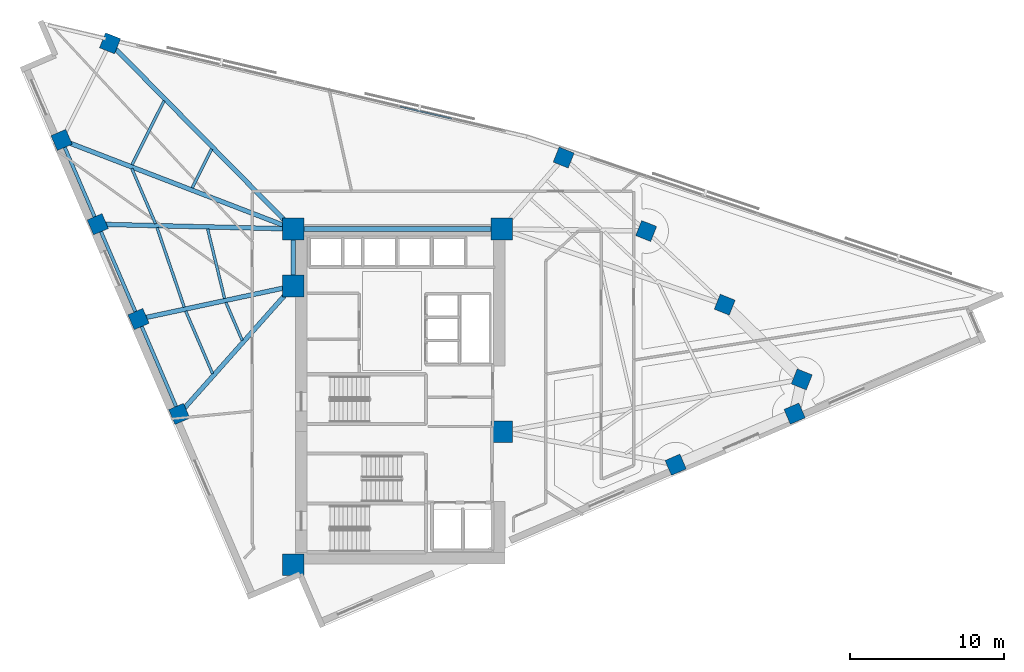
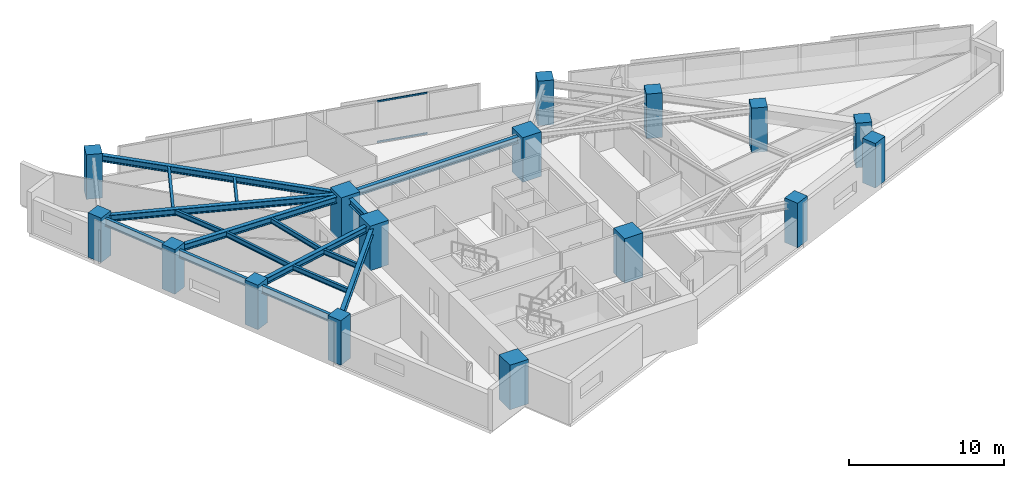
# One storey, part 1 of 14: 17 beams, 16 columns, 2 members, 1 element without a shape of its own.
"""IFC4 building model written with IfcOpenShell, lengths in metres."""

from ifc_helpers import new_model, si_unit, direction, frame, origin, origin_2d, place, context, subcontext, project, spatial, rectangle, hollow_rectangle, i_section, extrude, material, material_profile, profile_set, type_object, element, aggregate, save


model = new_model("IFC4")

# Units and contexts
model_context = context("Model", 3, precision=1e-05, world=origin(), true_north=direction((0.0, 1.0)))
body_context = subcontext(model_context, "Body", "Model", "MODEL_VIEW")
ifc_project = project(units=[si_unit("LENGTHUNIT", "METRE"), si_unit("AREAUNIT", "SQUARE_METRE"), si_unit("VOLUMEUNIT", "CUBIC_METRE"), si_unit("PLANEANGLEUNIT", "RADIAN"), si_unit("MASSUNIT", "GRAM", prefix="KILO")], contexts=[model_context])

# Site, building, storey
site_placement = place(None, origin())
site = spatial("IfcSite", under=ifc_project, at=site_placement, CompositionType="ELEMENT")
building_placement = place(site_placement, origin())
building = spatial("IfcBuilding", under=site, at=building_placement, Name="Narakoshi Arena Tower", CompositionType="ELEMENT")
storey_placement = place(building_placement, frame((0.0, 0.0, 179.10009765625)))
storey = spatial("IfcBuildingStorey", under=building, at=storey_placement, Name="L48", CompositionType="ELEMENT", Elevation=179.10009765625)

# Columns
ifc_material_1 = material(Name="Concrete C50/60", Category="concrete")
ifc_material_profile_1 = material_profile(ifc_material_1, rectangle(XDim=1.050048828125, YDim=1.050048828125, at=origin_2d()), Name="RC1050x1050")
ifc_profile_set_1 = profile_set([ifc_material_profile_1], Name="Concrete C50/60")
column_type_1 = type_object("IfcColumnType", Name="COL-RC1050", PredefinedType="COLUMN", material=ifc_profile_set_1)
for number, where, z_axis, x_axis, name in (
    (1, (96.830078125, 41.2001953125, 0.0), (0.0, 0.0, 1.0), (0.918791210149, 0.394743856384, 0.0), "L48 Tower Perimeter Column TC02"),
    (2, (104.54931640625, 44.5166015625, 0.0), (0.0, 0.0, 1.0), (0.918791210149, 0.394743856384, 0.0), "L48 Tower Perimeter Column TC03"),
    (3, (105.010009765625, 46.73876953125, 0.0), (0.0, 0.0, 1.0), (0.37055743751, 0.928809552872, 0.0), "L48 Tower Perimeter Column TC05"),
    (4, (100.012939453125, 51.58544921875, 0.0), (0.0, 0.0, 1.0), (0.37055743751, 0.928809552872, 0.0), "L48 Tower Perimeter Column TC06"),
    (5, (94.914794921875, 56.36669921875, 0.0), (0.0, 0.0, 1.0), (0.37055743751, 0.928809552872, 0.0), "L48 Tower Perimeter Column TC07"),
    (6, (89.5615234375, 61.134765625, 0.0), (0.0, 0.0, 1.0), (0.37055743751, 0.928809552872, 0.0), "L48 Tower Perimeter Column TC08"),
    (7, (60.12158203125, 68.55126953125, 0.0), (0.0, 0.0, 1.0), (0.37055743751, 0.928809552872, 0.0), "L48 Tower Perimeter Column TC10"),
    (8, (56.9755859375, 62.278564453125, 0.0), (0.0, 0.0, 1.0), (-0.394743856384, 0.918791210149, 0.0), "L48 Tower Perimeter Column TC13"),
    (9, (59.326171875, 56.807373046875, 0.0), (0.0, 0.0, 1.0), (-0.394743856384, 0.918791210149, 0.0), "L48 Tower Perimeter Column TC14"),
    (10, (61.970458984375, 50.652587890625, 0.0), (0.0, 0.0, 1.0), (-0.394743856384, 0.918791210149, 0.0), "L48 Tower Perimeter Column TC15"),
    (11, (64.61474609375, 44.49755859375, 0.0), (0.0, 0.0, 1.0), (-0.394743856384, 0.918791210149, 0.0), "L48 Tower Perimeter Column TC16"),
):
    element("IfcColumn", number, at=place(storey_placement, frame(where, z_axis=z_axis, x_axis=x_axis)), inside=storey, type_object=column_type_1, Name=name, PredefinedType="COLUMN", context=body_context, shape_type="SweptSolid", body=[
        extrude(rectangle(XDim=1.050048828125, YDim=1.050048828125, at=origin_2d()), origin(), (0.0, 0.0, 1.0), 3.52001953125),
    ])
ifc_material_2 = material(Name="Concrete C60/75", Category="concrete")
ifc_material_profile_2 = material_profile(ifc_material_2, rectangle(XDim=1.39990234375, YDim=1.39990234375, at=origin_2d()), Name="RC1400x1400")
ifc_profile_set_2 = profile_set([ifc_material_profile_2], Name="Concrete C60/75")
column_type_2 = type_object("IfcColumnType", Name="COL-RC1400", PredefinedType="COLUMN", material=ifc_profile_set_2)
for number, where, z_axis, x_axis, name in (
    (12, (72.0, 34.699951171875, 0.0), (0.0, 0.0, 1.0), (1.0, 0.0, 0.0), "L48 Core Structural Column CC1"),
    (13, (85.550048828125, 43.35009765625, 0.0), (0.0, 0.0, 1.0), (1.0, 0.0, 0.0), "L48 Core Structural Column CC3"),
    (14, (72.0, 52.800048828125, 0.0), (0.0, 0.0, 1.0), (1.0, 0.0, 0.0), "L48 Core Structural Column CC4"),
    (15, (72.0, 56.5, 0.0), (0.0, 0.0, 1.0), (1.0, 0.0, 0.0), "L48 Core Structural Column CC5"),
    (16, (85.550048828125, 56.5, 0.0), (0.0, 0.0, 1.0), (1.0, 0.0, 0.0), "L48 Core Structural Column CC6"),
):
    element("IfcColumn", number, at=place(storey_placement, frame(where, z_axis=z_axis, x_axis=x_axis)), inside=storey, type_object=column_type_2, Name=name, PredefinedType="COLUMN", context=body_context, shape_type="SweptSolid", body=[
        extrude(rectangle(XDim=1.39990234375, YDim=1.39990234375, at=origin_2d()), origin(), (0.0, 0.0, 1.0), 3.52001953125),
    ])

# Beams
ifc_material_3 = material(Name="Structural steel S355J2", Category="steel")
ifc_material_profile_3 = material_profile(ifc_material_3, i_section(OverallWidth=0.219970703125, OverallDepth=0.60009765625, WebThickness=0.011962890625, FlangeThickness=0.01904296875, FilletRadius=0.02392578125, at=origin_2d()), Name="IPE600")
ifc_profile_set_3 = profile_set([ifc_material_profile_3], Name="Structural steel S355J2")
beam_type_1 = type_object("IfcBeamType", Name="BM-EDGE-600", PredefinedType="BEAM", material=ifc_profile_set_3)
beam_1_placement = place(storey_placement, frame((56.9755859375, 62.278564453125, 2.9599609375), z_axis=(0.394740539552, -0.918792635165, 0.0), x_axis=(0.918792635165, 0.394740539552, 0.0)))
element("IfcBeam", 17, at=beam_1_placement, inside=storey, type_object=beam_type_1, Name="L48 Perimeter Edge Girder 08", PredefinedType="BEAM", context=body_context, shape_type="SweptSolid", body=[
    extrude(i_section(OverallWidth=0.219970703125, OverallDepth=0.60009765625, WebThickness=0.011962890625, FlangeThickness=0.01904296875, FilletRadius=0.02392578125, at=origin_2d()), origin(), (0.0, 0.0, 1.0), 5.954833984375),
])
beam_2_placement = place(storey_placement, frame((59.326171875, 56.807373046875, 2.9599609375), z_axis=(0.394741679056, -0.9187921456, 0.0), x_axis=(0.9187921456, 0.394741679056, 0.0)))
element("IfcBeam", 18, at=beam_2_placement, inside=storey, type_object=beam_type_1, Name="L48 Perimeter Edge Girder 09", PredefinedType="BEAM", context=body_context, shape_type="SweptSolid", body=[
    extrude(i_section(OverallWidth=0.219970703125, OverallDepth=0.60009765625, WebThickness=0.011962890625, FlangeThickness=0.01904296875, FilletRadius=0.02392578125, at=origin_2d()), origin(), (0.0, 0.0, 1.0), 6.69873046875),
])
beam_3_placement = place(storey_placement, frame((61.970458984375, 50.652587890625, 2.9599609375), z_axis=(0.394728461185, -0.918797824296, 0.0), x_axis=(0.918797824296, 0.394728461185, 0.0)))
element("IfcBeam", 19, at=beam_3_placement, inside=storey, type_object=beam_type_1, Name="L48 Perimeter Edge Girder 10", PredefinedType="BEAM", context=body_context, shape_type="SweptSolid", body=[
    extrude(i_section(OverallWidth=0.219970703125, OverallDepth=0.60009765625, WebThickness=0.011962890625, FlangeThickness=0.01904296875, FilletRadius=0.02392578125, at=origin_2d()), origin(), (0.0, 0.0, 1.0), 6.698974609375),
])
ifc_material_profile_4 = material_profile(ifc_material_3, i_section(OverallWidth=0.300048828125, OverallDepth=0.5, WebThickness=0.014404296875, FlangeThickness=0.028076171875, FilletRadius=0.027099609375, at=origin_2d()), Name="HE500B")
ifc_profile_set_4 = profile_set([ifc_material_profile_4], Name="Structural steel S355J2")
beam_type_2 = type_object("IfcBeamType", Name="BM-PRI-500", PredefinedType="BEAM", material=ifc_profile_set_4)
beam_4_placement = place(storey_placement, frame((72.0, 56.5, 3.010009765625), z_axis=(-0.701980816252, 0.71219585341, 0.0), x_axis=(-0.71219585341, -0.701980816252, 0.0)))
element("IfcBeam", 20, at=beam_4_placement, inside=storey, type_object=beam_type_2, Name="L48 Radial Primary Floor Girder 07", PredefinedType="BEAM", context=body_context, shape_type="SweptSolid", body=[
    extrude(i_section(OverallWidth=0.300048828125, OverallDepth=0.5, WebThickness=0.014404296875, FlangeThickness=0.028076171875, FilletRadius=0.027099609375, at=origin_2d()), origin(), (0.0, 0.0, 1.0), 16.92138671875),
])
beam_5_placement = place(storey_placement, frame((72.0, 56.5, 3.010009765625), z_axis=(-0.933346778866, 0.35897603037, 0.0), x_axis=(-0.35897603037, -0.933346778866, 0.0)))
element("IfcBeam", 21, at=beam_5_placement, inside=storey, type_object=beam_type_2, Name="L48 Radial Primary Floor Girder 08", PredefinedType="BEAM", context=body_context, shape_type="SweptSolid", body=[
    extrude(i_section(OverallWidth=0.300048828125, OverallDepth=0.5, WebThickness=0.014404296875, FlangeThickness=0.028076171875, FilletRadius=0.027099609375, at=origin_2d()), origin(), (0.0, 0.0, 1.0), 16.097412109375),
])
beam_6_placement = place(storey_placement, frame((72.0, 56.5, 3.010009765625), z_axis=(-0.999706035824, 0.024245451901, 0.0), x_axis=(-0.024245451901, -0.999706035824, 0.0)))
element("IfcBeam", 22, at=beam_6_placement, inside=storey, type_object=beam_type_2, Name="L48 Radial Primary Floor Girder 09", PredefinedType="BEAM", context=body_context, shape_type="SweptSolid", body=[
    extrude(i_section(OverallWidth=0.300048828125, OverallDepth=0.5, WebThickness=0.014404296875, FlangeThickness=0.028076171875, FilletRadius=0.027099609375, at=origin_2d()), origin(), (0.0, 0.0, 1.0), 12.677490234375),
])
beam_7_placement = place(storey_placement, frame((72.0, 52.800048828125, 3.010009765625), z_axis=(-0.977836885657, -0.209368156721, 0.0), x_axis=(0.209368156721, -0.977836885657, 0.0)))
element("IfcBeam", 23, at=beam_7_placement, inside=storey, type_object=beam_type_2, Name="L48 Radial Primary Floor Girder 10", PredefinedType="BEAM", context=body_context, shape_type="SweptSolid", body=[
    extrude(i_section(OverallWidth=0.300048828125, OverallDepth=0.5, WebThickness=0.014404296875, FlangeThickness=0.028076171875, FilletRadius=0.027099609375, at=origin_2d()), origin(), (0.0, 0.0, 1.0), 10.2568359375),
])
beam_8_placement = place(storey_placement, frame((72.0, 52.800048828125, 3.010009765625), z_axis=(-0.664628360587, -0.747174104412, 0.0), x_axis=(0.747174104412, -0.664628360587, 0.0)))
element("IfcBeam", 24, at=beam_8_placement, inside=storey, type_object=beam_type_2, Name="L48 Radial Primary Floor Girder 11", PredefinedType="BEAM", context=body_context, shape_type="SweptSolid", body=[
    extrude(i_section(OverallWidth=0.300048828125, OverallDepth=0.5, WebThickness=0.014404296875, FlangeThickness=0.028076171875, FilletRadius=0.027099609375, at=origin_2d()), origin(), (0.0, 0.0, 1.0), 11.11181640625),
])
beam_9_placement = place(storey_placement, frame((72.0, 52.800048828125, 3.010009765625), z_axis=(0.0, 1.0, 0.0), x_axis=(-1.0, 0.0, 0.0)))
element("IfcBeam", 25, at=beam_9_placement, inside=storey, type_object=beam_type_2, Name="L48 Core Perimeter Frame Beam CC4-CC5", PredefinedType="BEAM", context=body_context, shape_type="SweptSolid", body=[
    extrude(i_section(OverallWidth=0.300048828125, OverallDepth=0.5, WebThickness=0.014404296875, FlangeThickness=0.028076171875, FilletRadius=0.027099609375, at=origin_2d()), origin(), (0.0, 0.0, 1.0), 3.699951171875),
])
beam_10_placement = place(storey_placement, frame((72.0, 56.5, 3.010009765625), z_axis=(1.0, 0.0, 0.0), x_axis=(0.0, 1.0, 0.0)))
element("IfcBeam", 26, at=beam_10_placement, inside=storey, type_object=beam_type_2, Name="L48 Core Perimeter Frame Beam CC5-CC6", PredefinedType="BEAM", context=body_context, shape_type="SweptSolid", body=[
    extrude(i_section(OverallWidth=0.300048828125, OverallDepth=0.5, WebThickness=0.014404296875, FlangeThickness=0.028076171875, FilletRadius=0.027099609375, at=origin_2d()), origin(), (0.0, 0.0, 1.0), 13.550048828125),
])
ifc_material_profile_5 = material_profile(ifc_material_3, i_section(OverallWidth=0.179931640625, OverallDepth=0.39990234375, WebThickness=0.008544921875, FlangeThickness=0.013427734375, FilletRadius=0.02099609375, at=origin_2d()), Name="IPE400")
ifc_profile_set_5 = profile_set([ifc_material_profile_5], Name="Structural steel S355J2")
beam_type_3 = type_object("IfcBeamType", Name="BM-SEC-400", PredefinedType="JOIST", material=ifc_profile_set_5)
beam_11_placement = place(storey_placement, frame((66.712890625, 61.681884765625, 3.059814453125), z_axis=(-0.4482876383, -0.893889363035, 0.0), x_axis=(0.893889363035, -0.4482876383, 0.0)))
element("IfcBeam", 27, at=beam_11_placement, inside=storey, type_object=beam_type_3, Name="L48 Composite Secondary Floor Joist 09", PredefinedType="JOIST", context=body_context, shape_type="SweptSolid", body=[
    extrude(i_section(OverallWidth=0.179931640625, OverallDepth=0.39990234375, WebThickness=0.008544921875, FlangeThickness=0.013427734375, FilletRadius=0.02099609375, at=origin_2d()), origin(), (0.0, 0.0, 1.0), 2.81787109375),
])
beam_12_placement = place(storey_placement, frame((63.624755859375, 64.815185546875, 3.059814453125), z_axis=(-0.448328152094, -0.893869044122, 0.0), x_axis=(0.893869044122, -0.448328152094, 0.0)))
element("IfcBeam", 28, at=beam_12_placement, inside=storey, type_object=beam_type_3, Name="L48 Composite Secondary Floor Joist 10", PredefinedType="JOIST", context=body_context, shape_type="SweptSolid", body=[
    extrude(i_section(OverallWidth=0.179931640625, OverallDepth=0.39990234375, WebThickness=0.008544921875, FlangeThickness=0.013427734375, FilletRadius=0.02099609375, at=origin_2d()), origin(), (0.0, 0.0, 1.0), 4.642333984375),
])
beam_13_placement = place(storey_placement, frame((61.5361328125, 60.4208984375, 3.059814453125), z_axis=(0.394735448543, -0.918794822397, 0.0), x_axis=(0.918794822397, 0.394735448543, 0.0)))
element("IfcBeam", 29, at=beam_13_placement, inside=storey, type_object=beam_type_3, Name="L48 Composite Secondary Floor Joist 11", PredefinedType="JOIST", context=body_context, shape_type="SweptSolid", body=[
    extrude(i_section(OverallWidth=0.179931640625, OverallDepth=0.39990234375, WebThickness=0.008544921875, FlangeThickness=0.013427734375, FilletRadius=0.02099609375, at=origin_2d()), origin(), (0.0, 0.0, 1.0), 3.8984375),
])
beam_14_placement = place(storey_placement, frame((66.455322265625, 56.504150390625, 3.059814453125), z_axis=(0.236539147599, -0.971621959228, 0.0), x_axis=(0.971621959228, 0.236539147599, 0.0)))
element("IfcBeam", 30, at=beam_14_placement, inside=storey, type_object=beam_type_3, Name="L48 Composite Secondary Floor Joist 12", PredefinedType="JOIST", context=body_context, shape_type="SweptSolid", body=[
    extrude(i_section(OverallWidth=0.179931640625, OverallDepth=0.39990234375, WebThickness=0.008544921875, FlangeThickness=0.013427734375, FilletRadius=0.02099609375, at=origin_2d()), origin(), (0.0, 0.0, 1.0), 4.649658203125),
])
beam_15_placement = place(storey_placement, frame((63.171875, 56.58740234375, 3.059814453125), z_axis=(0.323307083537, -0.946294103191, 0.0), x_axis=(0.946294103191, 0.323307083537, 0.0)))
element("IfcBeam", 31, at=beam_15_placement, inside=storey, type_object=beam_type_3, Name="L48 Composite Secondary Floor Joist 13", PredefinedType="JOIST", context=body_context, shape_type="SweptSolid", body=[
    extrude(i_section(OverallWidth=0.179931640625, OverallDepth=0.39990234375, WebThickness=0.008544921875, FlangeThickness=0.013427734375, FilletRadius=0.02099609375, at=origin_2d()), origin(), (0.0, 0.0, 1.0), 5.455810546875),
])
beam_16_placement = place(storey_placement, frame((67.640380859375, 51.731201171875, 3.059814453125), z_axis=(0.394711461419, -0.918805127448, 0.0), x_axis=(0.918805127448, 0.394711461419, 0.0)))
element("IfcBeam", 32, at=beam_16_placement, inside=storey, type_object=beam_type_3, Name="L48 Composite Secondary Floor Joist 14", PredefinedType="JOIST", context=body_context, shape_type="SweptSolid", body=[
    extrude(i_section(OverallWidth=0.179931640625, OverallDepth=0.39990234375, WebThickness=0.008544921875, FlangeThickness=0.013427734375, FilletRadius=0.02099609375, at=origin_2d()), origin(), (0.0, 0.0, 1.0), 2.677734375),
])
beam_17_placement = place(storey_placement, frame((65.03271484375, 51.172607421875, 3.059814453125), z_axis=(0.39473259388, -0.918796048821, 0.0), x_axis=(0.918796048821, 0.39473259388, 0.0)))
element("IfcBeam", 33, at=beam_17_placement, inside=storey, type_object=beam_type_3, Name="L48 Composite Secondary Floor Joist 15", PredefinedType="JOIST", context=body_context, shape_type="SweptSolid", body=[
    extrude(i_section(OverallWidth=0.179931640625, OverallDepth=0.39990234375, WebThickness=0.008544921875, FlangeThickness=0.013427734375, FilletRadius=0.02099609375, at=origin_2d()), origin(), (0.0, 0.0, 1.0), 4.419189453125),
])

# Curtain wall, members
ifc_material_4 = material(Name="Anodised bronze aluminium 6063-T6", Category="aluminium")
curtain_wall_type = type_object("IfcCurtainWallType", Name="CW-HYP-MID", PredefinedType="NOTDEFINED", material=ifc_material_4)
curtain_wall_placement = place(storey_placement, origin())
curtain_wall = element("IfcCurtainWall", 34, at=curtain_wall_placement, inside=storey, type_object=curtain_wall_type, Name="L48 Folded Hypotenuse Curtain Wall 2-1", PredefinedType="NOTDEFINED")
ifc_material_profile_6 = material_profile(ifc_material_4, hollow_rectangle(XDim=0.06494140625, YDim=0.1298828125, WallThickness=0.00390625, OuterFilletRadius=0.0048828125, at=origin_2d()), Name="TRN130x65x4")
ifc_profile_set_6 = profile_set([ifc_material_profile_6], Name="Anodised bronze aluminium 6063-T6")
member_type = type_object("IfcMemberType", Name="MEM-TRN-130", PredefinedType="USERDEFINED", material=ifc_profile_set_6)
member_1_placement = place(storey_placement, frame((82.27587890625, 63.6611328125, 0.032470703125), z_axis=(-0.973960713384, 0.226716847155, 0.0), x_axis=(-0.226716847155, -0.973960713384, 0.0)))
member_1 = element("IfcMember", 35, at=member_1_placement, type_object=member_type, Name="CW-02 transom 2.1", ObjectType="TRANSOM", PredefinedType="USERDEFINED", context=body_context, shape_type="SweptSolid", body=[
    extrude(hollow_rectangle(XDim=0.06494140625, YDim=0.1298828125, WallThickness=0.00390625, OuterFilletRadius=0.0048828125, at=origin_2d()), origin(), (0.0, 0.0, 1.0), 3.416748046875),
])
member_2_placement = place(storey_placement, frame((82.27587890625, 63.6611328125, 3.227294921875), z_axis=(-0.973960713384, 0.226716847155, 0.0), x_axis=(-0.226716847155, -0.973960713384, 0.0)))
member_2 = element("IfcMember", 36, at=member_2_placement, type_object=member_type, Name="CW-02 transom 2.2", ObjectType="TRANSOM", PredefinedType="USERDEFINED", context=body_context, shape_type="SweptSolid", body=[
    extrude(hollow_rectangle(XDim=0.06494140625, YDim=0.1298828125, WallThickness=0.00390625, OuterFilletRadius=0.0048828125, at=origin_2d()), origin(), (0.0, 0.0, 1.0), 3.416748046875),
])
aggregate(curtain_wall, [member_1, member_2])

save(model, "model.ifc")
